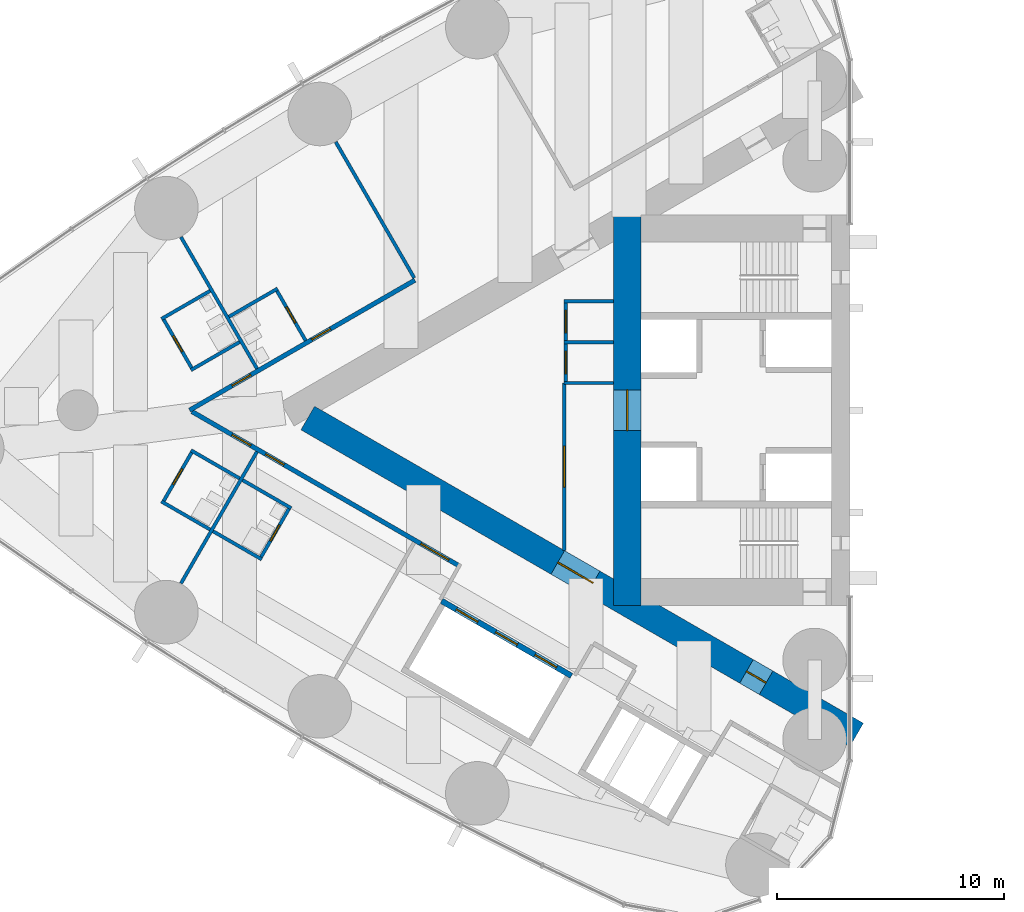
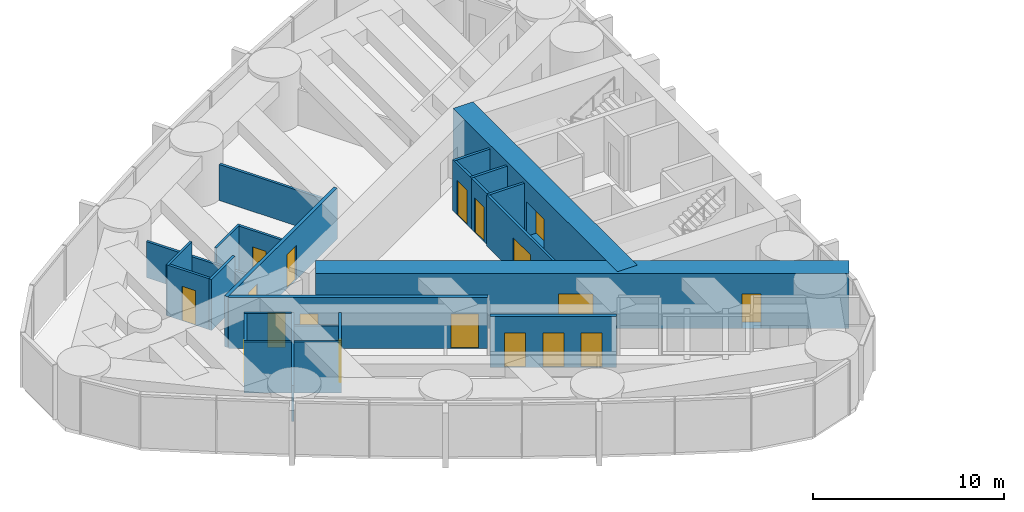
# One storey, part 12 of 19: 25 walls, 18 doors, 18 openings.
"""IFC4 building model written with IfcOpenShell, lengths in metres."""

from ifc_helpers import new_model, si_unit, direction, frame, frame_2d, origin, place, context, subcontext, project, spatial, rectangle, extrude, material, layer, layer_set, type_object, element, fill, save


model = new_model("IFC4")

# Units and contexts
model_context = context("Model", 3, precision=1e-05, world=origin(), true_north=direction((0.0, 1.0)))
body_context = subcontext(model_context, "Body", "Model", "MODEL_VIEW")
ifc_project = project(units=[si_unit("LENGTHUNIT", "METRE"), si_unit("AREAUNIT", "SQUARE_METRE"), si_unit("VOLUMEUNIT", "CUBIC_METRE"), si_unit("PLANEANGLEUNIT", "RADIAN"), si_unit("MASSUNIT", "GRAM", prefix="KILO")], contexts=[model_context])

# Site, building, storey
site_placement = place(None, origin())
site = spatial("IfcSite", under=ifc_project, at=site_placement, CompositionType="ELEMENT")
building_placement = place(site_placement, origin())
building = spatial("IfcBuilding", under=site, at=building_placement, Name="Lancet Gate Hotel", CompositionType="ELEMENT")
storey_placement = place(building_placement, frame((0.0, 0.0, 159.800048828125)))
storey = spatial("IfcBuildingStorey", under=building, at=storey_placement, Name="L42", CompositionType="ELEMENT", Elevation=159.800048828125)

# Wall
ifc_material_1 = material(Name="Moisture resistant board partition")
ifc_layer_1 = layer(ifc_material_1, 0.14990234375)
ifc_layer_set_1 = layer_set([ifc_layer_1], Name="Bathroom wall 150")
wall_type_1 = type_object("IfcWallType", Name="Bathroom wall 150", PredefinedType="PARTITIONING", material=ifc_layer_set_1)
wall_1_placement = place(storey_placement, frame((-52.693603515625, 5.354736328125, 0.0), z_axis=(0.0, 0.0, 1.0), x_axis=(-0.866031185235, -0.4999899861, 0.0)))
element("IfcWall", 1, at=wall_1_placement, inside=storey, type_object=wall_type_1, Name="T1 bathroom wall 150 L42", PredefinedType="PARTITIONING", context=body_context, shape_type="SweptSolid", body=[
    extrude(rectangle(XDim=2.47509765625, YDim=0.14990234375, at=frame_2d((1.237548828125, 0.0))), origin(), (0.0, 0.0, 1.0), 3.25),
])

# Wall, opening, door
wall_2_placement = place(storey_placement, frame((-51.458740234375, 3.0654296875, 0.0), z_axis=(0.0, 0.0, 1.0), x_axis=(-0.499936506574, 0.866062058628, 0.0)))
wall_2 = element("IfcWall", 2, at=wall_2_placement, inside=storey, type_object=wall_type_1, Name="T1 bathroom wall 150 L42", PredefinedType="PARTITIONING", context=body_context, shape_type="SweptSolid", body=[
    extrude(rectangle(XDim=2.599853515625, YDim=0.14990234375, at=frame_2d((1.2998046875, 0.0))), origin(), (0.0, 0.0, 1.0), 3.25),
])
opening_1_placement = place(wall_2_placement, frame((0.89990234375, 0.0, 0.0)))
opening_1 = element("IfcOpeningElement", 3, at=opening_1_placement, cuts=wall_2, Name="Opening 4203-B", PredefinedType="OPENING", context=body_context, shape_type="SweptSolid", body=[
    extrude(rectangle(XDim=0.800048828125, YDim=2.199951171875, at=frame_2d((0.39990234375, 1.10009765625))), frame((0.0, 0.0849609375, 0.0), z_axis=(0.0, -1.0, 0.0), x_axis=(1.0, 0.0, 0.0)), (0.0, 0.0, 1.0), 0.169921875),
])
ifc_material_2 = material(Name="Timber door set", Category="wood")
door_type_1 = type_object("IfcDoorType", Name="Bathroom door 800", OperationType="SINGLE_SWING_RIGHT", PredefinedType="DOOR", material=ifc_material_2)
door_1_placement = place(opening_1_placement, origin())
door_1 = element("IfcDoor", 4, at=door_1_placement, inside=storey, type_object=door_type_1, Name="4203-B", OperationType="SINGLE_SWING_RIGHT", OverallHeight=2.199951171875, OverallWidth=0.800048828125, PredefinedType="DOOR", context=body_context, shape_type="SweptSolid", body=[
    extrude(rectangle(XDim=0.800048828125, YDim=2.199951171875, at=frame_2d((0.39990234375, 1.10009765625))), frame((0.0, 0.02490234375, 0.0), z_axis=(0.0, -1.0, 0.0), x_axis=(1.0, 0.0, 0.0)), (0.0, 0.0, 1.0), 0.050048828125),
])
fill(opening_1, door_1)

# Wall
wall_3_placement = place(storey_placement, frame((-55.6669921875, 5.254638671875, 0.0), z_axis=(0.0, 0.0, 1.0), x_axis=(-0.866006523861, -0.500032699561, 0.0)))
element("IfcWall", 5, at=wall_3_placement, inside=storey, type_object=wall_type_1, Name="T1 bathroom wall 150 L42", PredefinedType="PARTITIONING", context=body_context, shape_type="SweptSolid", body=[
    extrude(rectangle(XDim=2.474853515625, YDim=0.14990234375, at=frame_2d((1.2373046875, 0.0))), origin(), (0.0, 0.0, 1.0), 3.25),
])

# Wall, opening, door
wall_4_placement = place(storey_placement, frame((-56.445556640625, 1.802978515625, 0.0), z_axis=(0.0, 0.0, 1.0), x_axis=(-0.499936506574, 0.866062058628, 0.0)))
wall_4 = element("IfcWall", 6, at=wall_4_placement, inside=storey, type_object=wall_type_1, Name="T1 bathroom wall 150 L42", PredefinedType="PARTITIONING", context=body_context, shape_type="SweptSolid", body=[
    extrude(rectangle(XDim=2.599853515625, YDim=0.14990234375, at=frame_2d((1.2998046875, 0.0))), origin(), (0.0, 0.0, 1.0), 3.25),
])
opening_2_placement = place(wall_4_placement, frame((0.89990234375, 0.0, 0.0)))
opening_2 = element("IfcOpeningElement", 7, at=opening_2_placement, cuts=wall_4, Name="Opening 4204-B", PredefinedType="OPENING", context=body_context, shape_type="SweptSolid", body=[
    extrude(rectangle(XDim=0.800048828125, YDim=2.199951171875, at=frame_2d((0.39990234375, 1.10009765625))), frame((0.0, 0.0849609375, 0.0), z_axis=(0.0, -1.0, 0.0), x_axis=(1.0, 0.0, 0.0)), (0.0, 0.0, 1.0), 0.169921875),
])
door_2_placement = place(opening_2_placement, origin())
door_2 = element("IfcDoor", 8, at=door_2_placement, inside=storey, type_object=door_type_1, Name="4204-B", OperationType="SINGLE_SWING_RIGHT", OverallHeight=2.199951171875, OverallWidth=0.800048828125, PredefinedType="DOOR", context=body_context, shape_type="SweptSolid", body=[
    extrude(rectangle(XDim=0.800048828125, YDim=2.199951171875, at=frame_2d((0.39990234375, 1.10009765625))), frame((0.0, 0.02490234375, 0.0), z_axis=(0.0, -1.0, 0.0), x_axis=(1.0, 0.0, 0.0)), (0.0, 0.0, 1.0), 0.050048828125),
])
fill(opening_2, door_2)

# Walls
wall_5_placement = place(storey_placement, frame((-54.366943359375, 3.0029296875, 0.0), z_axis=(0.0, 0.0, 1.0), x_axis=(-0.866031185235, -0.4999899861, 0.0)))
element("IfcWall", 9, at=wall_5_placement, inside=storey, type_object=wall_type_1, Name="T1 bathroom wall 150 L42", PredefinedType="PARTITIONING", context=body_context, shape_type="SweptSolid", body=[
    extrude(rectangle(XDim=2.47509765625, YDim=0.14990234375, at=frame_2d((1.237548828125, 0.0))), origin(), (0.0, 0.0, 1.0), 3.25),
])
wall_6_placement = place(storey_placement, frame((-55.6669921875, -5.254638671875, 0.0), z_axis=(0.0, 0.0, 1.0), x_axis=(-0.866006523861, 0.500032699561, 0.0)))
element("IfcWall", 10, at=wall_6_placement, inside=storey, type_object=wall_type_1, Name="T1 bathroom wall 150 L42", PredefinedType="PARTITIONING", context=body_context, shape_type="SweptSolid", body=[
    extrude(rectangle(XDim=2.474853515625, YDim=0.14990234375, at=frame_2d((1.2373046875, 0.0))), origin(), (0.0, 0.0, 1.0), 3.25),
])

# Wall, opening, door
wall_7_placement = place(storey_placement, frame((-56.445556640625, -1.802978515625, 0.0), z_axis=(0.0, 0.0, 1.0), x_axis=(-0.499936506574, -0.866062058628, 0.0)))
wall_7 = element("IfcWall", 11, at=wall_7_placement, inside=storey, type_object=wall_type_1, Name="T1 bathroom wall 150 L42", PredefinedType="PARTITIONING", context=body_context, shape_type="SweptSolid", body=[
    extrude(rectangle(XDim=2.599853515625, YDim=0.14990234375, at=frame_2d((1.2998046875, 0.0))), origin(), (0.0, 0.0, 1.0), 3.25),
])
opening_3_placement = place(wall_7_placement, frame((0.89990234375, 0.0, 0.0)))
opening_3 = element("IfcOpeningElement", 12, at=opening_3_placement, cuts=wall_7, Name="Opening 4205-B", PredefinedType="OPENING", context=body_context, shape_type="SweptSolid", body=[
    extrude(rectangle(XDim=0.800048828125, YDim=2.199951171875, at=frame_2d((0.39990234375, 1.10009765625))), frame((0.0, 0.0849609375, 0.0), z_axis=(0.0, -1.0, 0.0), x_axis=(1.0, 0.0, 0.0)), (0.0, 0.0, 1.0), 0.169921875),
])
door_3_placement = place(opening_3_placement, origin())
door_3 = element("IfcDoor", 13, at=door_3_placement, inside=storey, type_object=door_type_1, Name="4205-B", OperationType="SINGLE_SWING_RIGHT", OverallHeight=2.199951171875, OverallWidth=0.800048828125, PredefinedType="DOOR", context=body_context, shape_type="SweptSolid", body=[
    extrude(rectangle(XDim=0.800048828125, YDim=2.199951171875, at=frame_2d((0.39990234375, 1.10009765625))), frame((0.0, 0.02490234375, 0.0), z_axis=(0.0, -1.0, 0.0), x_axis=(1.0, 0.0, 0.0)), (0.0, 0.0, 1.0), 0.050048828125),
])
fill(opening_3, door_3)

# Walls
for number, where, z_axis, x_axis, name in (
    (14, (-54.366943359375, -3.0029296875, 0.0), (0.0, 0.0, 1.0), (-0.866031185235, 0.4999899861, 0.0), "T1 bathroom wall 150 L42"),
    (15, (-53.3935546875, -6.567138671875, 0.0), (0.0, 0.0, 1.0), (-0.866031185235, 0.4999899861, 0.0), "T1 bathroom wall 150 L42"),
):
    element("IfcWall", number, at=place(storey_placement, frame(where, z_axis=z_axis, x_axis=x_axis)), inside=storey, type_object=wall_type_1, Name=name, PredefinedType="PARTITIONING", context=body_context, shape_type="SweptSolid", body=[
        extrude(rectangle(XDim=2.47509765625, YDim=0.14990234375, at=frame_2d((1.237548828125, 0.0))), origin(), (0.0, 0.0, 1.0), 3.25),
    ])

# Wall, opening, door
wall_8_placement = place(storey_placement, frame((-52.15869140625, -4.278076171875, 0.0), z_axis=(0.0, 0.0, 1.0), x_axis=(-0.500047596559, -0.865997922154, 0.0)))
wall_8 = element("IfcWall", 16, at=wall_8_placement, inside=storey, type_object=wall_type_1, Name="T1 bathroom wall 150 L42", PredefinedType="PARTITIONING", context=body_context, shape_type="SweptSolid", body=[
    extrude(rectangle(XDim=2.599853515625, YDim=0.14990234375, at=frame_2d((1.2998046875, 0.0))), origin(), (0.0, 0.0, 1.0), 3.25),
])
opening_4_placement = place(wall_8_placement, frame((0.89990234375, 0.0, 0.0)))
opening_4 = element("IfcOpeningElement", 17, at=opening_4_placement, cuts=wall_8, Name="Opening 4206-B", PredefinedType="OPENING", context=body_context, shape_type="SweptSolid", body=[
    extrude(rectangle(XDim=0.800048828125, YDim=2.199951171875, at=frame_2d((0.39990234375, 1.10009765625))), frame((0.0, 0.0849609375, 0.0), z_axis=(0.0, -1.0, 0.0), x_axis=(1.0, 0.0, 0.0)), (0.0, 0.0, 1.0), 0.169921875),
])
door_4_placement = place(opening_4_placement, origin())
door_4 = element("IfcDoor", 18, at=door_4_placement, inside=storey, type_object=door_type_1, Name="4206-B", OperationType="SINGLE_SWING_RIGHT", OverallHeight=2.199951171875, OverallWidth=0.800048828125, PredefinedType="DOOR", context=body_context, shape_type="SweptSolid", body=[
    extrude(rectangle(XDim=0.800048828125, YDim=2.199951171875, at=frame_2d((0.39990234375, 1.10009765625))), frame((0.0, 0.02490234375, 0.0), z_axis=(0.0, -1.0, 0.0), x_axis=(1.0, 0.0, 0.0)), (0.0, 0.0, 1.0), 0.050048828125),
])
fill(opening_4, door_4)

# Wall
wall_9_placement = place(storey_placement, frame((-52.09375, -4.3154296875, 0.0), z_axis=(0.0, 0.0, 1.0), x_axis=(-0.866006523861, 0.500032699561, 0.0)))
element("IfcWall", 19, at=wall_9_placement, inside=storey, type_object=wall_type_1, Name="T1 bathroom wall 150 L42", PredefinedType="PARTITIONING", context=body_context, shape_type="SweptSolid", body=[
    extrude(rectangle(XDim=2.474853515625, YDim=0.14990234375, at=frame_2d((1.2373046875, 0.0))), origin(), (0.0, 0.0, 1.0), 2.449951171875),
])

# Wall, openings, doors
ifc_material_3 = material(Name="Concrete C70/85", Category="concrete")
ifc_layer_2 = layer(ifc_material_3, 1.199951171875)
ifc_layer_set_2 = layer_set([ifc_layer_2], Name="Buttress wall 1200")
wall_type_2 = type_object("IfcWallType", Name="Buttress wall 1200", PredefinedType="SHEAR", material=ifc_layer_set_2)
wall_10_placement = place(storey_placement, frame((-27.199951171875, -14.300048828125, 0.0), z_axis=(0.0, 0.0, 1.0), x_axis=(-0.866024021859, 0.500002393557, 0.0)))
wall_10 = element("IfcWall", 20, at=wall_10_placement, inside=storey, type_object=wall_type_2, Name="T1 buttress wall N L42", PredefinedType="SHEAR", context=body_context, shape_type="SweptSolid", body=[
    extrude(rectangle(XDim=27.906982421875, YDim=1.199951171875, at=frame_2d((13.95361328125, 0.0))), origin(), (0.0, 0.0, 1.0), 3.5),
])
opening_5_placement = place(wall_10_placement, frame((4.60009765625, 0.0, 0.0)))
opening_5 = element("IfcOpeningElement", 21, at=opening_5_placement, cuts=wall_10, Name="Opening T1-L42-LN", PredefinedType="OPENING", context=body_context, shape_type="SweptSolid", body=[
    extrude(rectangle(XDim=1.0, YDim=2.199951171875, at=frame_2d((0.5, 1.10009765625))), frame((0.0, 0.60986328125, 0.0), z_axis=(0.0, -1.0, 0.0), x_axis=(1.0, 0.0, 0.0)), (0.0, 0.0, 1.0), 1.219970703125),
])
opening_6_placement = place(wall_10_placement, frame((13.39453125, 0.0, 0.0)))
opening_6 = element("IfcOpeningElement", 22, at=opening_6_placement, cuts=wall_10, Name="Opening T1-L42-LHN", PredefinedType="OPENING", context=body_context, shape_type="SweptSolid", body=[
    extrude(rectangle(XDim=1.800048828125, YDim=2.199951171875, at=frame_2d((0.89990234375, 1.10009765625))), frame((0.0, 0.60986328125, 0.0), z_axis=(0.0, -1.0, 0.0), x_axis=(1.0, 0.0, 0.0)), (0.0, 0.0, 1.0), 1.219970703125),
])
ifc_material_4 = material(Name="Timber door set", Category="wood")
door_type_2 = type_object("IfcDoorType", Name="Lobby double door 1800", OperationType="DOUBLE_DOOR_SINGLE_SWING", PredefinedType="DOOR", material=ifc_material_4)
door_5_placement = place(opening_6_placement, origin())
door_5 = element("IfcDoor", 23, at=door_5_placement, inside=storey, type_object=door_type_2, Name="T1-L42-LHN", OperationType="DOUBLE_DOOR_SINGLE_SWING", OverallHeight=2.199951171875, OverallWidth=1.800048828125, PredefinedType="DOOR", context=body_context, shape_type="SweptSolid", body=[
    extrude(rectangle(XDim=1.800048828125, YDim=2.199951171875, at=frame_2d((0.89990234375, 1.10009765625))), frame((0.0, 0.02490234375, 0.0), z_axis=(0.0, -1.0, 0.0), x_axis=(1.0, 0.0, 0.0)), (0.0, 0.0, 1.0), 0.050048828125),
])
fill(opening_6, door_5)
ifc_material_5 = material(Name="Timber door set", Category="wood")
door_type_3 = type_object("IfcDoorType", Name="Stair lobby door 1000", OperationType="SINGLE_SWING_LEFT", PredefinedType="DOOR", material=ifc_material_5)
door_6_placement = place(opening_5_placement, origin())
door_6 = element("IfcDoor", 24, at=door_6_placement, inside=storey, type_object=door_type_3, Name="T1-L42-LN", OperationType="SINGLE_SWING_LEFT", OverallHeight=2.199951171875, OverallWidth=1.0, PredefinedType="DOOR", context=body_context, shape_type="SweptSolid", body=[
    extrude(rectangle(XDim=1.0, YDim=2.199951171875, at=frame_2d((0.5, 1.10009765625))), frame((0.0, 0.02490234375, 0.0), z_axis=(0.0, -1.0, 0.0), x_axis=(1.0, 0.0, 0.0)), (0.0, 0.0, 1.0), 0.050048828125),
])
fill(opening_5, door_6)

# Wall, opening, door
ifc_material_6 = material(Name="Concrete C70/85", Category="concrete")
ifc_layer_3 = layer(ifc_material_6, 1.199951171875)
ifc_layer_set_3 = layer_set([ifc_layer_3], Name="Core wall 1200")
wall_type_3 = type_object("IfcWallType", Name="Core wall 1200", PredefinedType="SHEAR", material=ifc_layer_set_3)
wall_11_placement = place(storey_placement, frame((-37.300048828125, 8.60009765625, 0.0), z_axis=(0.0, 0.0, 1.0), x_axis=(0.0, -1.0, 0.0)))
wall_11 = element("IfcWall", 25, at=wall_11_placement, inside=storey, type_object=wall_type_3, Name="T1 core wall back L42", PredefinedType="SHEAR", context=body_context, shape_type="SweptSolid", body=[
    extrude(rectangle(XDim=17.2001953125, YDim=1.199951171875, at=frame_2d((8.60009765625, 0.0))), origin(), (0.0, 0.0, 1.0), 3.5),
])
opening_7_placement = place(wall_11_placement, frame((7.699951171875, 0.0, 0.0)))
opening_7 = element("IfcOpeningElement", 26, at=opening_7_placement, cuts=wall_11, Name="Opening T1-L42-LL", PredefinedType="OPENING", context=body_context, shape_type="SweptSolid", body=[
    extrude(rectangle(XDim=1.800048828125, YDim=2.199951171875, at=frame_2d((0.89990234375, 1.10009765625))), frame((0.0, 0.60986328125, 0.0), z_axis=(0.0, -1.0, 0.0), x_axis=(1.0, 0.0, 0.0)), (0.0, 0.0, 1.0), 1.219970703125),
])
door_7_placement = place(opening_7_placement, origin())
door_7 = element("IfcDoor", 27, at=door_7_placement, inside=storey, type_object=door_type_2, Name="T1-L42-LL", OperationType="DOUBLE_DOOR_SINGLE_SWING", OverallHeight=2.199951171875, OverallWidth=1.800048828125, PredefinedType="DOOR", context=body_context, shape_type="SweptSolid", body=[
    extrude(rectangle(XDim=1.800048828125, YDim=2.199951171875, at=frame_2d((0.89990234375, 1.10009765625))), frame((0.0, 0.02490234375, 0.0), z_axis=(0.0, -1.0, 0.0), x_axis=(1.0, 0.0, 0.0)), (0.0, 0.0, 1.0), 0.050048828125),
])
fill(opening_7, door_7)

# Wall, openings, doors
ifc_material_7 = material(Name="Gypsum board partition")
ifc_layer_4 = layer(ifc_material_7, 0.199951171875)
ifc_layer_set_4 = layer_set([ifc_layer_4], Name="Corridor wall 200")
wall_type_4 = type_object("IfcWallType", Name="Corridor wall 200", PredefinedType="PARTITIONING", material=ifc_layer_set_4)
wall_12_placement = place(storey_placement, frame((-44.715087890625, -6.843505859375, 0.0), z_axis=(0.0, 0.0, 1.0), x_axis=(-0.866025261224, 0.500000246922, 0.0)))
wall_12 = element("IfcWall", 28, at=wall_12_placement, inside=storey, type_object=wall_type_4, Name="T1 corridor wall 200 L42", PredefinedType="PARTITIONING", context=body_context, shape_type="SweptSolid", body=[
    extrude(rectangle(XDim=13.56689453125, YDim=0.199951171875, at=frame_2d((6.783447265625, 0.0))), origin(), (0.0, 0.0, 1.0), 3.25),
])
opening_8_placement = place(wall_12_placement, frame((10.5791015625, 0.0, 0.0)))
opening_8 = element("IfcOpeningElement", 29, at=opening_8_placement, cuts=wall_12, Name="Opening 4205-E", PredefinedType="OPENING", context=body_context, shape_type="SweptSolid", body=[
    extrude(rectangle(XDim=0.949951171875, YDim=2.199951171875, at=frame_2d((0.47509765625, 1.10009765625))), frame((0.0, 0.10986328125, 0.0), z_axis=(0.0, -1.0, 0.0), x_axis=(1.0, 0.0, 0.0)), (0.0, 0.0, 1.0), 0.219970703125),
])
opening_9_placement = place(wall_12_placement, frame((8.879150390625, 0.0, 0.0)))
opening_9 = element("IfcOpeningElement", 30, at=opening_9_placement, cuts=wall_12, Name="Opening 4206-E", PredefinedType="OPENING", context=body_context, shape_type="SweptSolid", body=[
    extrude(rectangle(XDim=0.949951171875, YDim=2.199951171875, at=frame_2d((0.47509765625, 1.10009765625))), frame((0.0, 0.10986328125, 0.0), z_axis=(0.0, -1.0, 0.0), x_axis=(1.0, 0.0, 0.0)), (0.0, 0.0, 1.0), 0.219970703125),
])
opening_10_placement = place(wall_12_placement, frame((0.5, 0.0, 0.0)))
opening_10 = element("IfcOpeningElement", 31, at=opening_10_placement, cuts=wall_12, Name="Opening T1-L42-LO1", PredefinedType="OPENING", context=body_context, shape_type="SweptSolid", body=[
    extrude(rectangle(XDim=1.43505859375, YDim=2.199951171875, at=frame_2d((0.717529296875, 1.10009765625))), frame((0.0, 0.10986328125, 0.0), z_axis=(0.0, -1.0, 0.0), x_axis=(1.0, 0.0, 0.0)), (0.0, 0.0, 1.0), 0.219970703125),
])
ifc_material_8 = material(Name="Timber door set", Category="wood")
door_type_4 = type_object("IfcDoorType", Name="Guest room entry door 950", OperationType="SINGLE_SWING_LEFT", PredefinedType="DOOR", material=ifc_material_8)
door_8_placement = place(opening_8_placement, origin())
door_8 = element("IfcDoor", 32, at=door_8_placement, inside=storey, type_object=door_type_4, Name="4205-E", OperationType="SINGLE_SWING_LEFT", OverallHeight=2.199951171875, OverallWidth=0.949951171875, PredefinedType="DOOR", context=body_context, shape_type="SweptSolid", body=[
    extrude(rectangle(XDim=0.949951171875, YDim=2.199951171875, at=frame_2d((0.47509765625, 1.10009765625))), frame((0.0, 0.02490234375, 0.0), z_axis=(0.0, -1.0, 0.0), x_axis=(1.0, 0.0, 0.0)), (0.0, 0.0, 1.0), 0.050048828125),
])
fill(opening_8, door_8)
door_9_placement = place(opening_9_placement, origin())
door_9 = element("IfcDoor", 33, at=door_9_placement, inside=storey, type_object=door_type_4, Name="4206-E", OperationType="SINGLE_SWING_LEFT", OverallHeight=2.199951171875, OverallWidth=0.949951171875, PredefinedType="DOOR", context=body_context, shape_type="SweptSolid", body=[
    extrude(rectangle(XDim=0.949951171875, YDim=2.199951171875, at=frame_2d((0.47509765625, 1.10009765625))), frame((0.0, 0.02490234375, 0.0), z_axis=(0.0, -1.0, 0.0), x_axis=(1.0, 0.0, 0.0)), (0.0, 0.0, 1.0), 0.050048828125),
])
fill(opening_9, door_9)
door_10_placement = place(opening_10_placement, origin())
door_10 = element("IfcDoor", 34, at=door_10_placement, inside=storey, type_object=door_type_4, Name="T1-L42-LO1", OperationType="SINGLE_SWING_LEFT", OverallHeight=2.199951171875, OverallWidth=1.43505859375, PredefinedType="DOOR", context=body_context, shape_type="SweptSolid", body=[
    extrude(rectangle(XDim=1.43505859375, YDim=2.199951171875, at=frame_2d((0.717529296875, 1.10009765625))), frame((0.0, 0.02490234375, 0.0), z_axis=(0.0, -1.0, 0.0), x_axis=(1.0, 0.0, 0.0)), (0.0, 0.0, 1.0), 0.050048828125),
])
fill(opening_10, door_10)

wall_13_placement = place(storey_placement, frame((-46.650390625, 5.72607421875, 0.0), z_axis=(0.0, 0.0, 1.0), x_axis=(-0.866027963864, -0.499995565786, 0.0)))
wall_13 = element("IfcWall", 35, at=wall_13_placement, inside=storey, type_object=wall_type_4, Name="T1 corridor wall 200 L42", PredefinedType="PARTITIONING", context=body_context, shape_type="SweptSolid", body=[
    extrude(rectangle(XDim=11.4521484375, YDim=0.199951171875, at=frame_2d((5.72607421875, 0.0))), origin(), (0.0, 0.0, 1.0), 3.25),
])
opening_11_placement = place(wall_13_placement, frame((4.294189453125, 0.0, 0.0)))
opening_11 = element("IfcOpeningElement", 36, at=opening_11_placement, cuts=wall_13, Name="Opening 4203-E", PredefinedType="OPENING", context=body_context, shape_type="SweptSolid", body=[
    extrude(rectangle(XDim=0.949951171875, YDim=2.199951171875, at=frame_2d((0.47509765625, 1.10009765625))), frame((0.0, 0.10986328125, 0.0), z_axis=(0.0, -1.0, 0.0), x_axis=(1.0, 0.0, 0.0)), (0.0, 0.0, 1.0), 0.219970703125),
])
opening_12_placement = place(wall_13_placement, frame((8.34423828125, 0.0, 0.0)))
opening_12 = element("IfcOpeningElement", 37, at=opening_12_placement, cuts=wall_13, Name="Opening 4204-E", PredefinedType="OPENING", context=body_context, shape_type="SweptSolid", body=[
    extrude(rectangle(XDim=0.949951171875, YDim=2.199951171875, at=frame_2d((0.47509765625, 1.10009765625))), frame((0.0, 0.10986328125, 0.0), z_axis=(0.0, -1.0, 0.0), x_axis=(1.0, 0.0, 0.0)), (0.0, 0.0, 1.0), 0.219970703125),
])
door_11_placement = place(opening_11_placement, origin())
door_11 = element("IfcDoor", 38, at=door_11_placement, inside=storey, type_object=door_type_4, Name="4203-E", OperationType="SINGLE_SWING_LEFT", OverallHeight=2.199951171875, OverallWidth=0.949951171875, PredefinedType="DOOR", context=body_context, shape_type="SweptSolid", body=[
    extrude(rectangle(XDim=0.949951171875, YDim=2.199951171875, at=frame_2d((0.47509765625, 1.10009765625))), frame((0.0, 0.02490234375, 0.0), z_axis=(0.0, -1.0, 0.0), x_axis=(1.0, 0.0, 0.0)), (0.0, 0.0, 1.0), 0.050048828125),
])
fill(opening_11, door_11)
door_12_placement = place(opening_12_placement, origin())
door_12 = element("IfcDoor", 39, at=door_12_placement, inside=storey, type_object=door_type_4, Name="4204-E", OperationType="SINGLE_SWING_LEFT", OverallHeight=2.199951171875, OverallWidth=0.949951171875, PredefinedType="DOOR", context=body_context, shape_type="SweptSolid", body=[
    extrude(rectangle(XDim=0.949951171875, YDim=2.199951171875, at=frame_2d((0.47509765625, 1.10009765625))), frame((0.0, 0.02490234375, 0.0), z_axis=(0.0, -1.0, 0.0), x_axis=(1.0, 0.0, 0.0)), (0.0, 0.0, 1.0), 0.050048828125),
])
fill(opening_12, door_12)

ifc_material_9 = material(Name="Gypsum board partition")
ifc_layer_5 = layer(ifc_material_9, 0.25)
ifc_layer_set_5 = layer_set([ifc_layer_5], Name="Lift shaft partition 250")
wall_type_5 = type_object("IfcWallType", Name="Lift shaft partition 250", PredefinedType="PARTITIONING", material=ifc_layer_set_5)
wall_14_placement = place(storey_placement, frame((-39.757568359375, -11.697265625, 0.0), z_axis=(0.0, 0.0, 1.0), x_axis=(-0.866024194504, 0.500002094529, 0.0)))
wall_14 = element("IfcWall", 40, at=wall_14_placement, inside=storey, type_object=wall_type_5, Name="T1 lift shaft wall HL L42", PredefinedType="PARTITIONING", context=body_context, shape_type="SweptSolid", body=[
    extrude(rectangle(XDim=6.60009765625, YDim=0.25, at=frame_2d((3.300048828125, 0.0))), origin(), (0.0, 0.0, 1.0), 3.25),
])
opening_13_placement = place(wall_14_placement, frame((0.75, 0.0, 0.0)))
opening_13 = element("IfcOpeningElement", 41, at=opening_13_placement, cuts=wall_14, Name="Opening T1-HL1-L42", PredefinedType="OPENING", context=body_context, shape_type="SweptSolid", body=[
    extrude(rectangle(XDim=1.10009765625, YDim=2.199951171875, at=frame_2d((0.550048828125, 1.10009765625))), frame((0.0, 0.135009765625, 0.0), z_axis=(0.0, -1.0, 0.0), x_axis=(1.0, 0.0, 0.0)), (0.0, 0.0, 1.0), 0.27001953125),
])
opening_14_placement = place(wall_14_placement, frame((2.75, 0.0, 0.0)))
opening_14 = element("IfcOpeningElement", 42, at=opening_14_placement, cuts=wall_14, Name="Opening T1-HL2-L42", PredefinedType="OPENING", context=body_context, shape_type="SweptSolid", body=[
    extrude(rectangle(XDim=1.10009765625, YDim=2.199951171875, at=frame_2d((0.550048828125, 1.10009765625))), frame((0.0, 0.135009765625, 0.0), z_axis=(0.0, -1.0, 0.0), x_axis=(1.0, 0.0, 0.0)), (0.0, 0.0, 1.0), 0.27001953125),
])
opening_15_placement = place(wall_14_placement, frame((4.75, 0.0, 0.0)))
opening_15 = element("IfcOpeningElement", 43, at=opening_15_placement, cuts=wall_14, Name="Opening T1-HL3-L42", PredefinedType="OPENING", context=body_context, shape_type="SweptSolid", body=[
    extrude(rectangle(XDim=1.10009765625, YDim=2.199951171875, at=frame_2d((0.550048828125, 1.10009765625))), frame((0.0, 0.135009765625, 0.0), z_axis=(0.0, -1.0, 0.0), x_axis=(1.0, 0.0, 0.0)), (0.0, 0.0, 1.0), 0.27001953125),
])
ifc_material_10 = material(Name="Steel door set", Category="steel")
door_type_5 = type_object("IfcDoorType", Name="Lift landing door 1100", OperationType="DOUBLE_DOOR_SLIDING", PredefinedType="USERDEFINED", material=ifc_material_10)
door_13_placement = place(opening_13_placement, origin())
door_13 = element("IfcDoor", 44, at=door_13_placement, inside=storey, type_object=door_type_5, Name="T1-HL1-L42", ObjectType="LIFT LANDING DOOR", OperationType="DOUBLE_DOOR_SLIDING", OverallHeight=2.199951171875, OverallWidth=1.10009765625, PredefinedType="USERDEFINED", context=body_context, shape_type="SweptSolid", body=[
    extrude(rectangle(XDim=1.10009765625, YDim=2.199951171875, at=frame_2d((0.550048828125, 1.10009765625))), frame((0.0, 0.02490234375, 0.0), z_axis=(0.0, -1.0, 0.0), x_axis=(1.0, 0.0, 0.0)), (0.0, 0.0, 1.0), 0.050048828125),
])
fill(opening_13, door_13)
door_14_placement = place(opening_14_placement, origin())
door_14 = element("IfcDoor", 45, at=door_14_placement, inside=storey, type_object=door_type_5, Name="T1-HL2-L42", ObjectType="LIFT LANDING DOOR", OperationType="DOUBLE_DOOR_SLIDING", OverallHeight=2.199951171875, OverallWidth=1.10009765625, PredefinedType="USERDEFINED", context=body_context, shape_type="SweptSolid", body=[
    extrude(rectangle(XDim=1.10009765625, YDim=2.199951171875, at=frame_2d((0.550048828125, 1.10009765625))), frame((0.0, 0.02490234375, 0.0), z_axis=(0.0, -1.0, 0.0), x_axis=(1.0, 0.0, 0.0)), (0.0, 0.0, 1.0), 0.050048828125),
])
fill(opening_14, door_14)
door_15_placement = place(opening_15_placement, origin())
door_15 = element("IfcDoor", 46, at=door_15_placement, inside=storey, type_object=door_type_5, Name="T1-HL3-L42", ObjectType="LIFT LANDING DOOR", OperationType="DOUBLE_DOOR_SLIDING", OverallHeight=2.199951171875, OverallWidth=1.10009765625, PredefinedType="USERDEFINED", context=body_context, shape_type="SweptSolid", body=[
    extrude(rectangle(XDim=1.10009765625, YDim=2.199951171875, at=frame_2d((0.550048828125, 1.10009765625))), frame((0.0, 0.02490234375, 0.0), z_axis=(0.0, -1.0, 0.0), x_axis=(1.0, 0.0, 0.0)), (0.0, 0.0, 1.0), 0.050048828125),
])
fill(opening_15, door_15)

# Walls
ifc_material_11 = material(Name="Gypsum board partition")
ifc_layer_6 = layer(ifc_material_11, 0.14990234375)
ifc_layer_set_6 = layer_set([ifc_layer_6], Name="Party wall 150")
wall_type_6 = type_object("IfcWallType", Name="Party wall 150", PredefinedType="PARTITIONING", material=ifc_layer_set_6)
wall_15_placement = place(storey_placement, frame((-46.6787109375, 5.8251953125, 0.0), z_axis=(0.0, 0.0, 1.0), x_axis=(-0.500006839597, 0.866021454905, 0.0)))
element("IfcWall", 47, at=wall_15_placement, inside=storey, type_object=wall_type_6, Name="T1 party wall 150 L42", PredefinedType="PARTITIONING", context=body_context, shape_type="SweptSolid", body=[
    extrude(rectangle(XDim=6.9111328125, YDim=0.14990234375, at=frame_2d((3.45556640625, 0.0))), origin(), (0.0, 0.0, 1.0), 2.300048828125),
])
for number, where, z_axis, x_axis, name in (
    (48, (-53.60205078125, 1.828125, 0.0), (0.0, 0.0, 1.0), (-0.49999191814, 0.866030069798, 0.0), "T1 party wall 150 L42"),
    (49, (-53.60205078125, -1.828125, 0.0), (0.0, 0.0, 1.0), (-0.49999191814, -0.866030069798, 0.0), "T1 party wall 150 L42"),
):
    element("IfcWall", number, at=place(storey_placement, frame(where, z_axis=z_axis, x_axis=x_axis)), inside=storey, type_object=wall_type_6, Name=name, PredefinedType="PARTITIONING", context=body_context, shape_type="SweptSolid", body=[
        extrude(rectangle(XDim=6.6923828125, YDim=0.14990234375, at=frame_2d((3.34619140625, 0.0))), origin(), (0.0, 0.0, 1.0), 2.300048828125),
    ])
ifc_material_12 = material(Name="Gypsum board partition")
ifc_layer_7 = layer(ifc_material_12, 0.14990234375)
ifc_layer_set_7 = layer_set([ifc_layer_7], Name="Service room wall 150")
wall_type_7 = type_object("IfcWallType", Name="Service room wall 150", PredefinedType="PARTITIONING", material=ifc_layer_set_7)
for number, where, z_axis, x_axis, name in (
    (50, (-37.89990234375, 1.199951171875, 0.0), (0.0, 0.0, 1.0), (-1.0, 0.0, 0.0), "T1 service room wall 150 L42"),
    (51, (-37.89990234375, 3.0, 0.0), (0.0, 0.0, 1.0), (-1.0, 0.0, 0.0), "T1 service room wall 150 L42"),
    (52, (-37.89990234375, 4.800048828125, 0.0), (0.0, 0.0, 1.0), (-1.0, 0.0, 0.0), "T1 service room wall 150 L42"),
):
    element("IfcWall", number, at=place(storey_placement, frame(where, z_axis=z_axis, x_axis=x_axis)), inside=storey, type_object=wall_type_7, Name=name, PredefinedType="PARTITIONING", context=body_context, shape_type="SweptSolid", body=[
        extrude(rectangle(XDim=2.175048828125, YDim=0.14990234375, at=frame_2d((1.08740234375, 0.0))), origin(), (0.0, 0.0, 1.0), 3.25),
    ])

# Wall, opening, door
wall_16_placement = place(storey_placement, frame((-40.0, 3.074951171875, 0.0), z_axis=(0.0, 0.0, 1.0), x_axis=(0.0, -1.0, 0.0)))
wall_16 = element("IfcWall", 53, at=wall_16_placement, inside=storey, type_object=wall_type_7, Name="T1 service room wall 150 L42", PredefinedType="PARTITIONING", context=body_context, shape_type="SweptSolid", body=[
    extrude(rectangle(XDim=1.949951171875, YDim=0.14990234375, at=frame_2d((0.97509765625, 0.0))), origin(), (0.0, 0.0, 1.0), 3.25),
])
opening_16_placement = place(wall_16_placement, frame((0.47509765625, 0.0, 0.0)))
opening_16 = element("IfcOpeningElement", 54, at=opening_16_placement, cuts=wall_16, Name="Opening T1-L42-HRS0", PredefinedType="OPENING", context=body_context, shape_type="SweptSolid", body=[
    extrude(rectangle(XDim=1.0, YDim=2.199951171875, at=frame_2d((0.5, 1.10009765625))), frame((0.0, 0.0849609375, 0.0), z_axis=(0.0, -1.0, 0.0), x_axis=(1.0, 0.0, 0.0)), (0.0, 0.0, 1.0), 0.169921875),
])
ifc_material_13 = material(Name="Timber door set", Category="wood")
door_type_6 = type_object("IfcDoorType", Name="Service door 1000", OperationType="SINGLE_SWING_LEFT", PredefinedType="DOOR", material=ifc_material_13)
door_16_placement = place(opening_16_placement, origin())
door_16 = element("IfcDoor", 55, at=door_16_placement, inside=storey, type_object=door_type_6, Name="T1-L42-HRS0", OperationType="SINGLE_SWING_LEFT", OverallHeight=2.199951171875, OverallWidth=1.0, PredefinedType="DOOR", context=body_context, shape_type="SweptSolid", body=[
    extrude(rectangle(XDim=1.0, YDim=2.199951171875, at=frame_2d((0.5, 1.10009765625))), frame((0.0, 0.02490234375, 0.0), z_axis=(0.0, -1.0, 0.0), x_axis=(1.0, 0.0, 0.0)), (0.0, 0.0, 1.0), 0.050048828125),
])
fill(opening_16, door_16)

wall_17_placement = place(storey_placement, frame((-40.0, 4.875, 0.0), z_axis=(0.0, 0.0, 1.0), x_axis=(0.0, -1.0, 0.0)))
wall_17 = element("IfcWall", 56, at=wall_17_placement, inside=storey, type_object=wall_type_7, Name="T1 service room wall 150 L42", PredefinedType="PARTITIONING", context=body_context, shape_type="SweptSolid", body=[
    extrude(rectangle(XDim=1.949951171875, YDim=0.14990234375, at=frame_2d((0.97509765625, 0.0))), origin(), (0.0, 0.0, 1.0), 3.25),
])
opening_17_placement = place(wall_17_placement, frame((0.47509765625, 0.0, 0.0)))
opening_17 = element("IfcOpeningElement", 57, at=opening_17_placement, cuts=wall_17, Name="Opening T1-L42-HRS1", PredefinedType="OPENING", context=body_context, shape_type="SweptSolid", body=[
    extrude(rectangle(XDim=1.0, YDim=2.199951171875, at=frame_2d((0.5, 1.10009765625))), frame((0.0, 0.0849609375, 0.0), z_axis=(0.0, -1.0, 0.0), x_axis=(1.0, 0.0, 0.0)), (0.0, 0.0, 1.0), 0.169921875),
])
door_17_placement = place(opening_17_placement, origin())
door_17 = element("IfcDoor", 58, at=door_17_placement, inside=storey, type_object=door_type_6, Name="T1-L42-HRS1", OperationType="SINGLE_SWING_LEFT", OverallHeight=2.199951171875, OverallWidth=1.0, PredefinedType="DOOR", context=body_context, shape_type="SweptSolid", body=[
    extrude(rectangle(XDim=1.0, YDim=2.199951171875, at=frame_2d((0.5, 1.10009765625))), frame((0.0, 0.02490234375, 0.0), z_axis=(0.0, -1.0, 0.0), x_axis=(1.0, 0.0, 0.0)), (0.0, 0.0, 1.0), 0.050048828125),
])
fill(opening_17, door_17)

wall_18_placement = place(storey_placement, frame((-40.074951171875, 1.199951171875, 0.0), z_axis=(0.0, 0.0, 1.0), x_axis=(0.0, -1.0, 0.0)))
wall_18 = element("IfcWall", 59, at=wall_18_placement, inside=storey, type_object=wall_type_7, Name="T1 service room wall 150 L42", PredefinedType="PARTITIONING", context=body_context, shape_type="SweptSolid", body=[
    extrude(rectangle(XDim=7.373779296875, YDim=0.14990234375, at=frame_2d((3.68701171875, 0.0))), origin(), (0.0, 0.0, 1.0), 3.25),
])
opening_18_placement = place(wall_18_placement, frame((2.786865234375, 0.0, 0.0)))
opening_18 = element("IfcOpeningElement", 60, at=opening_18_placement, cuts=wall_18, Name="Opening T1-L42-LH", PredefinedType="OPENING", context=body_context, shape_type="SweptSolid", body=[
    extrude(rectangle(XDim=1.800048828125, YDim=2.199951171875, at=frame_2d((0.89990234375, 1.10009765625))), frame((0.0, 0.0849609375, 0.0), z_axis=(0.0, -1.0, 0.0), x_axis=(1.0, 0.0, 0.0)), (0.0, 0.0, 1.0), 0.169921875),
])
door_18_placement = place(opening_18_placement, origin())
door_18 = element("IfcDoor", 61, at=door_18_placement, inside=storey, type_object=door_type_2, Name="T1-L42-LH", OperationType="DOUBLE_DOOR_SINGLE_SWING", OverallHeight=2.199951171875, OverallWidth=1.800048828125, PredefinedType="DOOR", context=body_context, shape_type="SweptSolid", body=[
    extrude(rectangle(XDim=1.800048828125, YDim=2.199951171875, at=frame_2d((0.89990234375, 1.10009765625))), frame((0.0, 0.02490234375, 0.0), z_axis=(0.0, -1.0, 0.0), x_axis=(1.0, 0.0, 0.0)), (0.0, 0.0, 1.0), 0.050048828125),
])
fill(opening_18, door_18)

save(model, "model.ifc")
